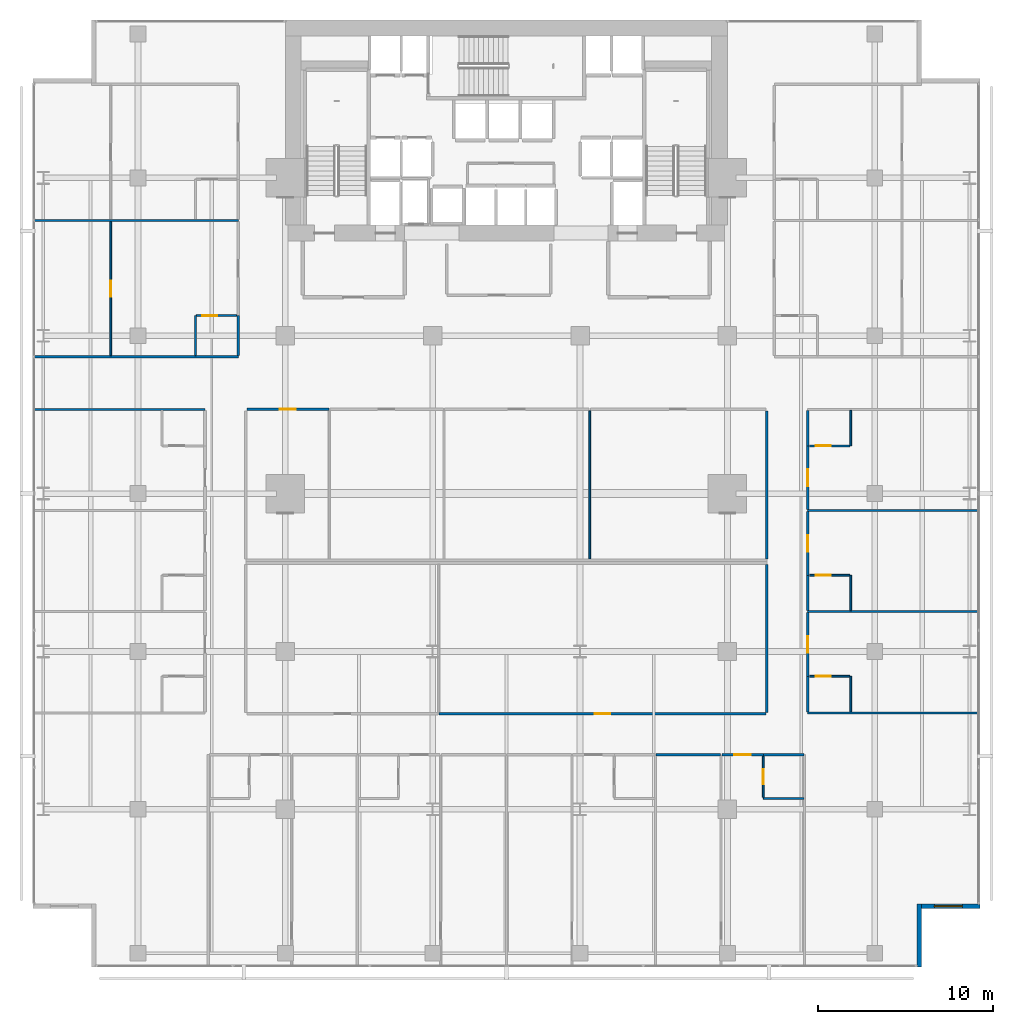
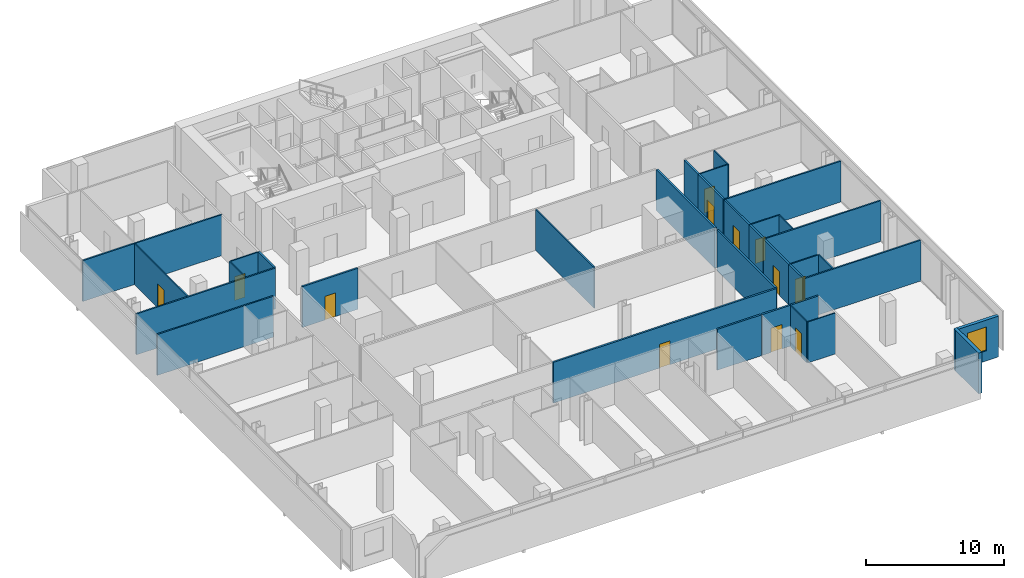
# One storey, part 34 of 40: 34 walls, 12 doors, 1 window, 13 openings.
"""IFC4 building model written with IfcOpenShell, lengths in metres."""

from ifc_helpers import new_model, si_unit, direction, frame, frame_2d, origin, place, context, subcontext, project, spatial, rectangle, extrude, material, layer, layer_set, type_object, element, fill, save


model = new_model("IFC4")

# Units and contexts
model_context = context("Model", 3, precision=1e-05, world=origin(), true_north=direction((0.0, 1.0)))
body_context = subcontext(model_context, "Body", "Model", "MODEL_VIEW")
ifc_project = project(units=[si_unit("LENGTHUNIT", "METRE"), si_unit("AREAUNIT", "SQUARE_METRE"), si_unit("VOLUMEUNIT", "CUBIC_METRE"), si_unit("PLANEANGLEUNIT", "RADIAN"), si_unit("MASSUNIT", "GRAM", prefix="KILO")], contexts=[model_context])

# Site, building, storey
site_placement = place(None, origin())
site = spatial("IfcSite", under=ifc_project, at=site_placement, CompositionType="ELEMENT")
building_placement = place(site_placement, origin())
building = spatial("IfcBuilding", under=site, at=building_placement, Name="Maruvema Waterfront Hotel and Observation Tower", CompositionType="ELEMENT")
storey_placement = place(building_placement, frame((0.0, 0.0, 88.550048828125)))
storey = spatial("IfcBuildingStorey", under=building, at=storey_placement, Name="L21", CompositionType="ELEMENT", Elevation=88.550048828125)

# Wall
ifc_material_1 = material(Name="Twin-stud acoustic gypsum drywall", Category="gypsum")
ifc_layer_1 = layer(ifc_material_1, 0.14990234375, Name="Acoustic Corridor and Suite Demising Wall 150 mm")
ifc_layer_set_1 = layer_set([ifc_layer_1], Name="Twin-stud acoustic gypsum drywall")
wall_type_1 = type_object("IfcWallType", Name="Acoustic Corridor and Suite Demising Wall 150 mm", PredefinedType="PARTITIONING", material=ifc_layer_set_1)
wall_1_placement = place(storey_placement, frame((52.64990234375, 23.280029296875, 0.0), z_axis=(0.0, 0.0, 1.0), x_axis=(0.0, 1.0, 0.0)))
element("IfcWall", 1, at=wall_1_placement, inside=storey, type_object=wall_type_1, Name="L21 L21-INTN East Wall 018", PredefinedType="PARTITIONING", context=body_context, shape_type="SweptSolid", body=[
    extrude(rectangle(XDim=8.43994140625, YDim=0.14990234375, at=frame_2d((4.219970703125, 0.0))), origin(), (0.0, 0.0, 1.0), 3.60986328125),
])

# Wall, opening, door
wall_2_placement = place(storey_placement, frame((23.010009765625, 31.800048828125, 0.0), z_axis=(0.0, 0.0, 1.0), x_axis=(1.0, 0.0, 0.0)))
wall_2 = element("IfcWall", 2, at=wall_2_placement, inside=storey, type_object=wall_type_1, Name="L21 L21-INTN Front 1 019", PredefinedType="PARTITIONING", context=body_context, shape_type="SweptSolid", body=[
    extrude(rectangle(XDim=4.662109375, YDim=0.14990234375, at=frame_2d((2.3310546875, 0.0))), origin(), (0.0, 0.0, 1.0), 3.60986328125),
])
opening_1_placement = place(wall_2_placement, frame((1.881103515625, 0.0, 0.0)))
opening_1 = element("IfcOpeningElement", 3, at=opening_1_placement, cuts=wall_2, Name="Opening DR-090", PredefinedType="OPENING", context=body_context, shape_type="SweptSolid", body=[
    extrude(rectangle(XDim=0.89990234375, YDim=2.10009765625, at=frame_2d((0.449951171875, 1.050048828125))), frame((0.0, 0.0849609375, 0.0), z_axis=(0.0, -1.0, 0.0), x_axis=(1.0, 0.0, 0.0)), (0.0, 0.0, 1.0), 0.169921875),
])
ifc_material_2 = material(Name="Solid-core lacquered timber leaf", Category="wood")
door_type_1 = type_object("IfcDoorType", Name="Accessible Toilet and Room Door 900x2100 mm", OperationType="NOTDEFINED", PredefinedType="DOOR", material=ifc_material_2)
door_1_placement = place(opening_1_placement, origin())
door_1 = element("IfcDoor", 4, at=door_1_placement, inside=storey, type_object=door_type_1, Name="L21 Art Gallery Lounge 1 Door", OperationType="SINGLE_SWING_LEFT", OverallHeight=2.10009765625, OverallWidth=0.89990234375, PredefinedType="DOOR", context=body_context, shape_type="SweptSolid", body=[
    extrude(rectangle(XDim=0.89990234375, YDim=2.10009765625, at=frame_2d((0.449951171875, 1.050048828125))), frame((0.0, 0.02490234375, 0.0), z_axis=(0.0, -1.0, 0.0), x_axis=(1.0, 0.0, 0.0)), (0.0, 0.0, 1.0), 0.050048828125),
])
fill(opening_1, door_1)

# Wall
wall_3_placement = place(storey_placement, frame((52.64990234375, 14.530029296875, 0.0), z_axis=(0.0, 0.0, 1.0), x_axis=(0.0, 1.0, 0.0)))
element("IfcWall", 5, at=wall_3_placement, inside=storey, type_object=wall_type_1, Name="L21 L21-INTS East Wall 028", PredefinedType="PARTITIONING", context=body_context, shape_type="SweptSolid", body=[
    extrude(rectangle(XDim=8.429931640625, YDim=0.14990234375, at=frame_2d((4.21484375, 0.0))), origin(), (0.0, 0.0, 1.0), 3.60986328125),
])

# Wall, opening, door
wall_4_placement = place(storey_placement, frame((33.968994140625, 14.449951171875, 0.0), z_axis=(0.0, 0.0, 1.0), x_axis=(1.0, 0.0, 0.0)))
wall_4 = element("IfcWall", 6, at=wall_4_placement, inside=storey, type_object=wall_type_1, Name="L21 L21-INTS Front 2 031", PredefinedType="PARTITIONING", context=body_context, shape_type="SweptSolid", body=[
    extrude(rectangle(XDim=18.62109375, YDim=0.14990234375, at=frame_2d((9.310546875, 0.0))), origin(), (0.0, 0.0, 1.0), 3.60986328125),
])
opening_2_placement = place(wall_4_placement, frame((8.860595703125, 0.0, 0.0)))
opening_2 = element("IfcOpeningElement", 7, at=opening_2_placement, cuts=wall_4, Name="Opening DR-090", PredefinedType="OPENING", context=body_context, shape_type="SweptSolid", body=[
    extrude(rectangle(XDim=0.89990234375, YDim=2.10009765625, at=frame_2d((0.449951171875, 1.050048828125))), frame((0.0, 0.0849609375, 0.0), z_axis=(0.0, -1.0, 0.0), x_axis=(1.0, 0.0, 0.0)), (0.0, 0.0, 1.0), 0.169921875),
])
door_2_placement = place(opening_2_placement, frame((0.89990234375, 0.0, 0.0), z_axis=(0.0, 0.0, 1.0), x_axis=(-1.0, 0.0, 0.0)))
door_2 = element("IfcDoor", 8, at=door_2_placement, inside=storey, type_object=door_type_1, Name="L21 Housekeeping Linen Room Door", OperationType="SINGLE_SWING_RIGHT", OverallHeight=2.10009765625, OverallWidth=0.89990234375, PredefinedType="DOOR", context=body_context, shape_type="SweptSolid", body=[
    extrude(rectangle(XDim=0.89990234375, YDim=2.10009765625, at=frame_2d((0.449951171875, 1.050048828125))), frame((0.0, 0.02490234375, 0.0), z_axis=(0.0, -1.0, 0.0), x_axis=(1.0, 0.0, 0.0)), (0.0, 0.0, 1.0), 0.050048828125),
])
fill(opening_2, door_2)

# Walls
wall_5_placement = place(storey_placement, frame((52.449951171875, 12.1201171875, 0.0), z_axis=(0.0, 0.0, 1.0), x_axis=(1.0, 0.0, 0.0)))
element("IfcWall", 9, at=wall_5_placement, inside=storey, type_object=wall_type_1, Name="L21 Bath L21-S4 Back Wall 055", PredefinedType="PARTITIONING", context=body_context, shape_type="SweptSolid", body=[
    extrude(rectangle(XDim=2.330078125, YDim=0.14990234375, at=frame_2d((1.1650390625, 0.0))), origin(), (0.0, 0.0, 1.0), 3.60986328125),
])
wall_6_placement = place(storey_placement, frame((46.320068359375, 12.1201171875, 0.0), z_axis=(0.0, 0.0, 1.0), x_axis=(1.0, 0.0, 0.0)))
element("IfcWall", 10, at=wall_6_placement, inside=storey, type_object=wall_type_1, Name="L21 Bedroom L21-S4 Back Wall 058", PredefinedType="PARTITIONING", context=body_context, shape_type="SweptSolid", body=[
    extrude(rectangle(XDim=3.679931640625, YDim=0.14990234375, at=frame_2d((1.83984375, 0.0))), origin(), (0.0, 0.0, 1.0), 3.60986328125),
])

# Wall, opening, door
wall_7_placement = place(storey_placement, frame((50.080078125, 12.1201171875, 0.0), z_axis=(0.0, 0.0, 1.0), x_axis=(1.0, 0.0, 0.0)))
wall_7 = element("IfcWall", 11, at=wall_7_placement, inside=storey, type_object=wall_type_1, Name="L21 Unit L21-S4 Corridor Wall 059", PredefinedType="PARTITIONING", context=body_context, shape_type="SweptSolid", body=[
    extrude(rectangle(XDim=2.369873046875, YDim=0.14990234375, at=frame_2d((1.18505859375, 0.0))), origin(), (0.0, 0.0, 1.0), 3.60986328125),
])
opening_3_placement = place(wall_7_placement, frame((0.7099609375, 0.0, 0.0)))
opening_3 = element("IfcOpeningElement", 12, at=opening_3_placement, cuts=wall_7, Name="Opening DR-095", PredefinedType="OPENING", context=body_context, shape_type="SweptSolid", body=[
    extrude(rectangle(XDim=0.949951171875, YDim=2.14990234375, at=frame_2d((0.47509765625, 1.074951171875))), frame((0.0, 0.0849609375, 0.0), z_axis=(0.0, -1.0, 0.0), x_axis=(1.0, 0.0, 0.0)), (0.0, 0.0, 1.0), 0.169921875),
])
ifc_material_3 = material(Name="Acoustic solid-core hardwood timber leaf", Category="wood")
door_type_2 = type_object("IfcDoorType", Name="Guestroom Entrance Fire Door 950x2150 mm", OperationType="NOTDEFINED", PredefinedType="DOOR", material=ifc_material_3)
door_3_placement = place(opening_3_placement, frame((0.949951171875, 0.0, 0.0), z_axis=(0.0, 0.0, 1.0), x_axis=(-1.0, 0.0, 0.0)))
door_3 = element("IfcDoor", 13, at=door_3_placement, inside=storey, type_object=door_type_2, Name="L21 Unit L21-S4 Entrance Door", OperationType="SINGLE_SWING_LEFT", OverallHeight=2.14990234375, OverallWidth=0.949951171875, PredefinedType="DOOR", context=body_context, shape_type="SweptSolid", body=[
    extrude(rectangle(XDim=0.949951171875, YDim=2.14990234375, at=frame_2d((0.47509765625, 1.074951171875))), frame((0.0, 0.02490234375, 0.0), z_axis=(0.0, -1.0, 0.0), x_axis=(1.0, 0.0, 0.0)), (0.0, 0.0, 1.0), 0.050048828125),
])
fill(opening_3, door_3)

# Wall
wall_8_placement = place(storey_placement, frame((54.97998046875, 14.56005859375, 0.0), z_axis=(0.0, 0.0, 1.0), x_axis=(0.0, 1.0, 0.0)))
element("IfcWall", 14, at=wall_8_placement, inside=storey, type_object=wall_type_1, Name="L21 Bath L21-E1 Wall 069", PredefinedType="PARTITIONING", context=body_context, shape_type="SweptSolid", body=[
    extrude(rectangle(XDim=2.02001953125, YDim=0.14990234375, at=frame_2d((1.010009765625, 0.0))), origin(), (0.0, 0.0, 1.0), 3.60986328125),
])

# Wall, opening, door
wall_9_placement = place(storey_placement, frame((54.97998046875, 16.580078125, 0.0), z_axis=(0.0, 0.0, 1.0), x_axis=(0.0, 1.0, 0.0)))
wall_9 = element("IfcWall", 15, at=wall_9_placement, inside=storey, type_object=wall_type_1, Name="L21 Room L21-E1 Corridor Wall 070", PredefinedType="PARTITIONING", context=body_context, shape_type="SweptSolid", body=[
    extrude(rectangle(XDim=3.6298828125, YDim=0.14990234375, at=frame_2d((1.81494140625, 0.0))), origin(), (0.0, 0.0, 1.0), 3.60986328125),
])
opening_4_placement = place(wall_9_placement, frame((1.340087890625, 0.0, 0.0)))
opening_4 = element("IfcOpeningElement", 16, at=opening_4_placement, cuts=wall_9, Name="Opening DR-095", PredefinedType="OPENING", context=body_context, shape_type="SweptSolid", body=[
    extrude(rectangle(XDim=0.949951171875, YDim=2.14990234375, at=frame_2d((0.47509765625, 1.074951171875))), frame((0.0, 0.0849609375, 0.0), z_axis=(0.0, -1.0, 0.0), x_axis=(1.0, 0.0, 0.0)), (0.0, 0.0, 1.0), 0.169921875),
])
door_4_placement = place(opening_4_placement, frame((0.949951171875, 0.0, 0.0), z_axis=(0.0, 0.0, 1.0), x_axis=(-1.0, 0.0, 0.0)))
door_4 = element("IfcDoor", 17, at=door_4_placement, inside=storey, type_object=door_type_2, Name="L21 Room L21-E1 Entrance Door", OperationType="SINGLE_SWING_RIGHT", OverallHeight=2.14990234375, OverallWidth=0.949951171875, PredefinedType="DOOR", context=body_context, shape_type="SweptSolid", body=[
    extrude(rectangle(XDim=0.949951171875, YDim=2.14990234375, at=frame_2d((0.47509765625, 1.074951171875))), frame((0.0, 0.02490234375, 0.0), z_axis=(0.0, -1.0, 0.0), x_axis=(1.0, 0.0, 0.0)), (0.0, 0.0, 1.0), 0.050048828125),
])
fill(opening_4, door_4)

# Wall
wall_10_placement = place(storey_placement, frame((54.97998046875, 20.330078125, 0.0), z_axis=(0.0, 0.0, 1.0), x_axis=(0.0, 1.0, 0.0)))
element("IfcWall", 18, at=wall_10_placement, inside=storey, type_object=wall_type_1, Name="L21 Bath L21-E2 Wall 079", PredefinedType="PARTITIONING", context=body_context, shape_type="SweptSolid", body=[
    extrude(rectangle(XDim=2.010009765625, YDim=0.14990234375, at=frame_2d((1.0048828125, 0.0))), origin(), (0.0, 0.0, 1.0), 3.60986328125),
])

# Wall, opening, door
wall_11_placement = place(storey_placement, frame((54.97998046875, 22.340087890625, 0.0), z_axis=(0.0, 0.0, 1.0), x_axis=(0.0, 1.0, 0.0)))
wall_11 = element("IfcWall", 19, at=wall_11_placement, inside=storey, type_object=wall_type_1, Name="L21 Room L21-E2 Corridor Wall 080", PredefinedType="PARTITIONING", context=body_context, shape_type="SweptSolid", body=[
    extrude(rectangle(XDim=3.6298828125, YDim=0.14990234375, at=frame_2d((1.81494140625, 0.0))), origin(), (0.0, 0.0, 1.0), 3.60986328125),
])
opening_5_placement = place(wall_11_placement, frame((1.340087890625, 0.0, 0.0)))
opening_5 = element("IfcOpeningElement", 20, at=opening_5_placement, cuts=wall_11, Name="Opening DR-095", PredefinedType="OPENING", context=body_context, shape_type="SweptSolid", body=[
    extrude(rectangle(XDim=0.949951171875, YDim=2.14990234375, at=frame_2d((0.47509765625, 1.074951171875))), frame((0.0, 0.0849609375, 0.0), z_axis=(0.0, -1.0, 0.0), x_axis=(1.0, 0.0, 0.0)), (0.0, 0.0, 1.0), 0.169921875),
])
door_5_placement = place(opening_5_placement, frame((0.949951171875, 0.0, 0.0), z_axis=(0.0, 0.0, 1.0), x_axis=(-1.0, 0.0, 0.0)))
door_5 = element("IfcDoor", 21, at=door_5_placement, inside=storey, type_object=door_type_2, Name="L21 Room L21-E2 Entrance Door", OperationType="SINGLE_SWING_RIGHT", OverallHeight=2.14990234375, OverallWidth=0.949951171875, PredefinedType="DOOR", context=body_context, shape_type="SweptSolid", body=[
    extrude(rectangle(XDim=0.949951171875, YDim=2.14990234375, at=frame_2d((0.47509765625, 1.074951171875))), frame((0.0, 0.02490234375, 0.0), z_axis=(0.0, -1.0, 0.0), x_axis=(1.0, 0.0, 0.0)), (0.0, 0.0, 1.0), 0.050048828125),
])
fill(opening_5, door_5)

wall_12_placement = place(storey_placement, frame((54.97998046875, 26.090087890625, 0.0), z_axis=(0.0, 0.0, 1.0), x_axis=(0.0, 1.0, 0.0)))
wall_12 = element("IfcWall", 22, at=wall_12_placement, inside=storey, type_object=wall_type_1, Name="L21 Room L21-E3 Corridor Wall 089", PredefinedType="PARTITIONING", context=body_context, shape_type="SweptSolid", body=[
    extrude(rectangle(XDim=3.6298828125, YDim=0.14990234375, at=frame_2d((1.81494140625, 0.0))), origin(), (0.0, 0.0, 1.0), 3.60986328125),
])
opening_6_placement = place(wall_12_placement, frame((1.340087890625, 0.0, 0.0)))
opening_6 = element("IfcOpeningElement", 23, at=opening_6_placement, cuts=wall_12, Name="Opening DR-095", PredefinedType="OPENING", context=body_context, shape_type="SweptSolid", body=[
    extrude(rectangle(XDim=0.949951171875, YDim=2.14990234375, at=frame_2d((0.47509765625, 1.074951171875))), frame((0.0, 0.0849609375, 0.0), z_axis=(0.0, -1.0, 0.0), x_axis=(1.0, 0.0, 0.0)), (0.0, 0.0, 1.0), 0.169921875),
])
door_6_placement = place(opening_6_placement, frame((0.949951171875, 0.0, 0.0), z_axis=(0.0, 0.0, 1.0), x_axis=(-1.0, 0.0, 0.0)))
door_6 = element("IfcDoor", 24, at=door_6_placement, inside=storey, type_object=door_type_2, Name="L21 Room L21-E3 Entrance Door", OperationType="SINGLE_SWING_RIGHT", OverallHeight=2.14990234375, OverallWidth=0.949951171875, PredefinedType="DOOR", context=body_context, shape_type="SweptSolid", body=[
    extrude(rectangle(XDim=0.949951171875, YDim=2.14990234375, at=frame_2d((0.47509765625, 1.074951171875))), frame((0.0, 0.02490234375, 0.0), z_axis=(0.0, -1.0, 0.0), x_axis=(1.0, 0.0, 0.0)), (0.0, 0.0, 1.0), 0.050048828125),
])
fill(opening_6, door_6)

# Walls
wall_13_placement = place(storey_placement, frame((54.97998046875, 29.719970703125, 0.0), z_axis=(0.0, 0.0, 1.0), x_axis=(0.0, 1.0, 0.0)))
element("IfcWall", 25, at=wall_13_placement, inside=storey, type_object=wall_type_1, Name="L21 Bath L21-E3 Wall 090", PredefinedType="PARTITIONING", context=body_context, shape_type="SweptSolid", body=[
    extrude(rectangle(XDim=2.02001953125, YDim=0.14990234375, at=frame_2d((1.010009765625, 0.0))), origin(), (0.0, 0.0, 1.0), 3.60986328125),
])
wall_14_placement = place(storey_placement, frame((22.52001953125, 34.860107421875, 0.0), z_axis=(0.0, 0.0, 1.0), x_axis=(0.0, 1.0, 0.0)))
element("IfcWall", 26, at=wall_14_placement, inside=storey, type_object=wall_type_1, Name="L21 Bath L21-NW1 Wall 097", PredefinedType="PARTITIONING", context=body_context, shape_type="SweptSolid", body=[
    extrude(rectangle(XDim=2.289794921875, YDim=0.14990234375, at=frame_2d((1.14501953125, 0.0))), origin(), (0.0, 0.0, 1.0), 3.60986328125),
])
ifc_material_4 = material(Name="Moisture-resistant cement-board drywall", Category="gypsum")
ifc_layer_2 = layer(ifc_material_4, 0.10009765625, Name="En-Suite Moisture-Resistant Partition 100 mm")
ifc_layer_set_2 = layer_set([ifc_layer_2], Name="Moisture-resistant cement-board drywall")
wall_type_2 = type_object("IfcWallType", Name="En-Suite Moisture-Resistant Partition 100 mm", PredefinedType="PARTITIONING", material=ifc_layer_set_2)
wall_15_placement = place(storey_placement, frame((42.552001953125, 23.280029296875, 0.0), z_axis=(0.0, 0.0, 1.0), x_axis=(0.0, 1.0, 0.0)))
element("IfcWall", 27, at=wall_15_placement, inside=storey, type_object=wall_type_2, Name="L21 L21-INTN Split 3 024", PredefinedType="PARTITIONING", context=body_context, shape_type="SweptSolid", body=[
    extrude(rectangle(XDim=8.43994140625, YDim=0.10009765625, at=frame_2d((4.219970703125, 0.0))), origin(), (0.0, 0.0, 1.0), 3.60986328125),
])
wall_16_placement = place(storey_placement, frame((52.449951171875, 9.6201171875, 0.0), z_axis=(0.0, 0.0, 1.0), x_axis=(1.0, 0.0, 0.0)))
element("IfcWall", 28, at=wall_16_placement, inside=storey, type_object=wall_type_2, Name="L21 En-Suite L21-S4 South 056", PredefinedType="PARTITIONING", context=body_context, shape_type="SweptSolid", body=[
    extrude(rectangle(XDim=2.31005859375, YDim=0.10009765625, at=frame_2d((1.155029296875, 0.0))), origin(), (0.0, 0.0, 1.0), 3.60986328125),
])

# Wall, opening, door
wall_17_placement = place(storey_placement, frame((52.449951171875, 9.679931640625, 0.0), z_axis=(0.0, 0.0, 1.0), x_axis=(0.0, 1.0, 0.0)))
wall_17 = element("IfcWall", 29, at=wall_17_placement, inside=storey, type_object=wall_type_2, Name="L21 En-Suite L21-S4 West 057", PredefinedType="PARTITIONING", context=body_context, shape_type="SweptSolid", body=[
    extrude(rectangle(XDim=2.340087890625, YDim=0.10009765625, at=frame_2d((1.169921875, 0.0))), origin(), (0.0, 0.0, 1.0), 3.60986328125),
])
opening_7_placement = place(wall_17_placement, frame((0.7451171875, 0.0, 0.0)))
opening_7 = element("IfcOpeningElement", 30, at=opening_7_placement, cuts=wall_17, Name="Opening DR-085", PredefinedType="OPENING", context=body_context, shape_type="SweptSolid", body=[
    extrude(rectangle(XDim=0.85009765625, YDim=2.10009765625, at=frame_2d((0.425048828125, 1.050048828125))), frame((0.0, 0.06005859375, 0.0), z_axis=(0.0, -1.0, 0.0), x_axis=(1.0, 0.0, 0.0)), (0.0, 0.0, 1.0), 0.1201171875),
])
ifc_material_5 = material(Name="Moisture-resistant solid timber leaf", Category="wood")
door_type_3 = type_object("IfcDoorType", Name="En-Suite Bathroom Door 850x2100 mm", OperationType="NOTDEFINED", PredefinedType="DOOR", material=ifc_material_5)
door_7_placement = place(opening_7_placement, origin())
door_7 = element("IfcDoor", 31, at=door_7_placement, inside=storey, type_object=door_type_3, Name="L21 En-Suite L21-S4 Door", OperationType="SINGLE_SWING_RIGHT", OverallHeight=2.10009765625, OverallWidth=0.85009765625, PredefinedType="DOOR", context=body_context, shape_type="SweptSolid", body=[
    extrude(rectangle(XDim=0.85009765625, YDim=2.10009765625, at=frame_2d((0.425048828125, 1.050048828125))), frame((0.0, 0.02490234375, 0.0), z_axis=(0.0, -1.0, 0.0), x_axis=(1.0, 0.0, 0.0)), (0.0, 0.0, 1.0), 0.050048828125),
])
fill(opening_7, door_7)

# Wall
wall_18_placement = place(storey_placement, frame((57.429931640625, 14.56005859375, 0.0), z_axis=(0.0, 0.0, 1.0), x_axis=(0.0, 1.0, 0.0)))
element("IfcWall", 32, at=wall_18_placement, inside=storey, type_object=wall_type_2, Name="L21 En-Suite L21-E1 E 071", PredefinedType="PARTITIONING", context=body_context, shape_type="SweptSolid", body=[
    extrude(rectangle(XDim=2.02001953125, YDim=0.10009765625, at=frame_2d((1.010009765625, 0.0))), origin(), (0.0, 0.0, 1.0), 3.60986328125),
])

# Wall, opening, door
wall_19_placement = place(storey_placement, frame((55.080078125, 16.580078125, 0.0), z_axis=(0.0, 0.0, 1.0), x_axis=(1.0, 0.0, 0.0)))
wall_19 = element("IfcWall", 33, at=wall_19_placement, inside=storey, type_object=wall_type_2, Name="L21 En-Suite L21-E1 N 072", PredefinedType="PARTITIONING", context=body_context, shape_type="SweptSolid", body=[
    extrude(rectangle(XDim=2.2998046875, YDim=0.10009765625, at=frame_2d((1.14990234375, 0.0))), origin(), (0.0, 0.0, 1.0), 3.60986328125),
])
opening_8_placement = place(wall_19_placement, frame((0.35009765625, 0.0, 0.0)))
opening_8 = element("IfcOpeningElement", 34, at=opening_8_placement, cuts=wall_19, Name="Opening DR-085", PredefinedType="OPENING", context=body_context, shape_type="SweptSolid", body=[
    extrude(rectangle(XDim=0.85009765625, YDim=2.10009765625, at=frame_2d((0.425048828125, 1.050048828125))), frame((0.0, 0.06005859375, 0.0), z_axis=(0.0, -1.0, 0.0), x_axis=(1.0, 0.0, 0.0)), (0.0, 0.0, 1.0), 0.1201171875),
])
door_8_placement = place(opening_8_placement, origin())
door_8 = element("IfcDoor", 35, at=door_8_placement, inside=storey, type_object=door_type_3, Name="L21 En-Suite L21-E1 Door", OperationType="SINGLE_SWING_LEFT", OverallHeight=2.10009765625, OverallWidth=0.85009765625, PredefinedType="DOOR", context=body_context, shape_type="SweptSolid", body=[
    extrude(rectangle(XDim=0.85009765625, YDim=2.10009765625, at=frame_2d((0.425048828125, 1.050048828125))), frame((0.0, 0.02490234375, 0.0), z_axis=(0.0, -1.0, 0.0), x_axis=(1.0, 0.0, 0.0)), (0.0, 0.0, 1.0), 0.050048828125),
])
fill(opening_8, door_8)

# Wall
wall_20_placement = place(storey_placement, frame((57.429931640625, 20.330078125, 0.0), z_axis=(0.0, 0.0, 1.0), x_axis=(0.0, 1.0, 0.0)))
element("IfcWall", 36, at=wall_20_placement, inside=storey, type_object=wall_type_2, Name="L21 En-Suite L21-E2 E 081", PredefinedType="PARTITIONING", context=body_context, shape_type="SweptSolid", body=[
    extrude(rectangle(XDim=2.010009765625, YDim=0.10009765625, at=frame_2d((1.0048828125, 0.0))), origin(), (0.0, 0.0, 1.0), 3.60986328125),
])

# Wall, opening, door
wall_21_placement = place(storey_placement, frame((55.080078125, 22.340087890625, 0.0), z_axis=(0.0, 0.0, 1.0), x_axis=(1.0, 0.0, 0.0)))
wall_21 = element("IfcWall", 37, at=wall_21_placement, inside=storey, type_object=wall_type_2, Name="L21 En-Suite L21-E2 N 082", PredefinedType="PARTITIONING", context=body_context, shape_type="SweptSolid", body=[
    extrude(rectangle(XDim=2.2998046875, YDim=0.10009765625, at=frame_2d((1.14990234375, 0.0))), origin(), (0.0, 0.0, 1.0), 3.60986328125),
])
opening_9_placement = place(wall_21_placement, frame((0.35009765625, 0.0, 0.0)))
opening_9 = element("IfcOpeningElement", 38, at=opening_9_placement, cuts=wall_21, Name="Opening DR-085", PredefinedType="OPENING", context=body_context, shape_type="SweptSolid", body=[
    extrude(rectangle(XDim=0.85009765625, YDim=2.10009765625, at=frame_2d((0.425048828125, 1.050048828125))), frame((0.0, 0.06005859375, 0.0), z_axis=(0.0, -1.0, 0.0), x_axis=(1.0, 0.0, 0.0)), (0.0, 0.0, 1.0), 0.1201171875),
])
door_9_placement = place(opening_9_placement, origin())
door_9 = element("IfcDoor", 39, at=door_9_placement, inside=storey, type_object=door_type_3, Name="L21 En-Suite L21-E2 Door", OperationType="SINGLE_SWING_LEFT", OverallHeight=2.10009765625, OverallWidth=0.85009765625, PredefinedType="DOOR", context=body_context, shape_type="SweptSolid", body=[
    extrude(rectangle(XDim=0.85009765625, YDim=2.10009765625, at=frame_2d((0.425048828125, 1.050048828125))), frame((0.0, 0.02490234375, 0.0), z_axis=(0.0, -1.0, 0.0), x_axis=(1.0, 0.0, 0.0)), (0.0, 0.0, 1.0), 0.050048828125),
])
fill(opening_9, door_9)

# Wall
wall_22_placement = place(storey_placement, frame((57.429931640625, 29.719970703125, 0.0), z_axis=(0.0, 0.0, 1.0), x_axis=(0.0, 1.0, 0.0)))
element("IfcWall", 40, at=wall_22_placement, inside=storey, type_object=wall_type_2, Name="L21 En-Suite L21-E3 E 091", PredefinedType="PARTITIONING", context=body_context, shape_type="SweptSolid", body=[
    extrude(rectangle(XDim=2.02001953125, YDim=0.10009765625, at=frame_2d((1.010009765625, 0.0))), origin(), (0.0, 0.0, 1.0), 3.60986328125),
])

# Wall, opening, door
wall_23_placement = place(storey_placement, frame((55.080078125, 29.719970703125, 0.0), z_axis=(0.0, 0.0, 1.0), x_axis=(1.0, 0.0, 0.0)))
wall_23 = element("IfcWall", 41, at=wall_23_placement, inside=storey, type_object=wall_type_2, Name="L21 En-Suite L21-E3 S 092", PredefinedType="PARTITIONING", context=body_context, shape_type="SweptSolid", body=[
    extrude(rectangle(XDim=2.2998046875, YDim=0.10009765625, at=frame_2d((1.14990234375, 0.0))), origin(), (0.0, 0.0, 1.0), 3.60986328125),
])
opening_10_placement = place(wall_23_placement, frame((0.35009765625, 0.0, 0.0)))
opening_10 = element("IfcOpeningElement", 42, at=opening_10_placement, cuts=wall_23, Name="Opening DR-085", PredefinedType="OPENING", context=body_context, shape_type="SweptSolid", body=[
    extrude(rectangle(XDim=0.85009765625, YDim=2.10009765625, at=frame_2d((0.425048828125, 1.050048828125))), frame((0.0, 0.06005859375, 0.0), z_axis=(0.0, -1.0, 0.0), x_axis=(1.0, 0.0, 0.0)), (0.0, 0.0, 1.0), 0.1201171875),
])
door_10_placement = place(opening_10_placement, frame((0.85009765625, 0.0, 0.0), z_axis=(0.0, 0.0, 1.0), x_axis=(-1.0, 0.0, 0.0)))
door_10 = element("IfcDoor", 43, at=door_10_placement, inside=storey, type_object=door_type_3, Name="L21 En-Suite L21-E3 Door", OperationType="SINGLE_SWING_LEFT", OverallHeight=2.10009765625, OverallWidth=0.85009765625, PredefinedType="DOOR", context=body_context, shape_type="SweptSolid", body=[
    extrude(rectangle(XDim=0.85009765625, YDim=2.10009765625, at=frame_2d((0.425048828125, 1.050048828125))), frame((0.0, 0.02490234375, 0.0), z_axis=(0.0, -1.0, 0.0), x_axis=(1.0, 0.0, 0.0)), (0.0, 0.0, 1.0), 0.050048828125),
])
fill(opening_10, door_10)

# Wall
wall_24_placement = place(storey_placement, frame((20.070068359375, 34.860107421875, 0.0), z_axis=(0.0, 0.0, 1.0), x_axis=(0.0, 1.0, 0.0)))
element("IfcWall", 44, at=wall_24_placement, inside=storey, type_object=wall_type_2, Name="L21 En-Suite L21-NW1 W 099", PredefinedType="PARTITIONING", context=body_context, shape_type="SweptSolid", body=[
    extrude(rectangle(XDim=2.289794921875, YDim=0.10009765625, at=frame_2d((1.14501953125, 0.0))), origin(), (0.0, 0.0, 1.0), 3.60986328125),
])

# Wall, opening, door
wall_25_placement = place(storey_placement, frame((20.1201171875, 37.14990234375, 0.0), z_axis=(0.0, 0.0, 1.0), x_axis=(1.0, 0.0, 0.0)))
wall_25 = element("IfcWall", 45, at=wall_25_placement, inside=storey, type_object=wall_type_2, Name="L21 En-Suite L21-NW1 N 100", PredefinedType="PARTITIONING", context=body_context, shape_type="SweptSolid", body=[
    extrude(rectangle(XDim=2.2998046875, YDim=0.10009765625, at=frame_2d((1.14990234375, 0.0))), origin(), (0.0, 0.0, 1.0), 3.60986328125),
])
opening_11_placement = place(wall_25_placement, frame((0.35009765625, 0.0, 0.0)))
opening_11 = element("IfcOpeningElement", 46, at=opening_11_placement, cuts=wall_25, Name="Opening DR-085", PredefinedType="OPENING", context=body_context, shape_type="SweptSolid", body=[
    extrude(rectangle(XDim=0.85009765625, YDim=2.10009765625, at=frame_2d((0.425048828125, 1.050048828125))), frame((0.0, 0.06005859375, 0.0), z_axis=(0.0, -1.0, 0.0), x_axis=(1.0, 0.0, 0.0)), (0.0, 0.0, 1.0), 0.1201171875),
])
door_11_placement = place(opening_11_placement, origin())
door_11 = element("IfcDoor", 47, at=door_11_placement, inside=storey, type_object=door_type_3, Name="L21 En-Suite L21-NW1 Door", OperationType="SINGLE_SWING_LEFT", OverallHeight=2.10009765625, OverallWidth=0.85009765625, PredefinedType="DOOR", context=body_context, shape_type="SweptSolid", body=[
    extrude(rectangle(XDim=0.85009765625, YDim=2.10009765625, at=frame_2d((0.425048828125, 1.050048828125))), frame((0.0, 0.02490234375, 0.0), z_axis=(0.0, -1.0, 0.0), x_axis=(1.0, 0.0, 0.0)), (0.0, 0.0, 1.0), 0.050048828125),
])
fill(opening_11, door_11)

wall_26_placement = place(storey_placement, frame((15.24951171875, 34.860107421875, 0.0), z_axis=(0.0, 0.0, 1.0), x_axis=(0.0, 1.0, 0.0)))
wall_26 = element("IfcWall", 48, at=wall_26_placement, inside=storey, type_object=wall_type_2, Name="L21 Suite L21-NW1 Split 101", PredefinedType="PARTITIONING", context=body_context, shape_type="SweptSolid", body=[
    extrude(rectangle(XDim=7.648681640625, YDim=0.10009765625, at=frame_2d((3.82421875, 0.0))), origin(), (0.0, 0.0, 1.0), 3.60986328125),
])
opening_12_placement = place(wall_26_placement, frame((3.374267578125, 0.0, 0.0)))
opening_12 = element("IfcOpeningElement", 49, at=opening_12_placement, cuts=wall_26, Name="Opening DR-090", PredefinedType="OPENING", context=body_context, shape_type="SweptSolid", body=[
    extrude(rectangle(XDim=0.89990234375, YDim=2.10009765625, at=frame_2d((0.449951171875, 1.050048828125))), frame((0.0, 0.06005859375, 0.0), z_axis=(0.0, -1.0, 0.0), x_axis=(1.0, 0.0, 0.0)), (0.0, 0.0, 1.0), 0.1201171875),
])
door_12_placement = place(opening_12_placement, origin())
door_12 = element("IfcDoor", 50, at=door_12_placement, inside=storey, type_object=door_type_1, Name="L21 Suite L21-NW1 Bedroom Door", OperationType="SINGLE_SWING_LEFT", OverallHeight=2.10009765625, OverallWidth=0.89990234375, PredefinedType="DOOR", context=body_context, shape_type="SweptSolid", body=[
    extrude(rectangle(XDim=0.89990234375, YDim=2.10009765625, at=frame_2d((0.449951171875, 1.050048828125))), frame((0.0, 0.02490234375, 0.0), z_axis=(0.0, -1.0, 0.0), x_axis=(1.0, 0.0, 0.0)), (0.0, 0.0, 1.0), 0.050048828125),
])
fill(opening_12, door_12)

# Wall
ifc_material_6 = material(Name="Precast concrete C45/55 with honed Pernambuco granite facing", Category="masonry")
ifc_layer_3 = layer(ifc_material_6, 0.260009765625, Name="Exterior Granite Clad Spandrel and Pier Wall 260 mm")
ifc_layer_set_3 = layer_set([ifc_layer_3], Name="Precast concrete C45/55 with honed Pernambuco granite facing")
wall_type_3 = type_object("IfcWallType", Name="Exterior Granite Clad Spandrel and Pier Wall 260 mm", PredefinedType="SOLIDWALL", material=ifc_layer_set_3)
wall_27_placement = place(storey_placement, frame((61.330078125, 3.60009765625, 0.0), z_axis=(0.0, 0.0, 1.0), x_axis=(0.0, -1.0, 0.0)))
element("IfcWall", 51, at=wall_27_placement, inside=storey, type_object=wall_type_3, Name="L21 Corner Notch Granite Pier Wall SE1", PredefinedType="SOLIDWALL", context=body_context, shape_type="SweptSolid", body=[
    extrude(rectangle(XDim=3.60009765625, YDim=0.260009765625, at=frame_2d((1.800048828125, 0.0))), origin(), (0.0, 0.0, 1.0), 3.60986328125),
])

# Wall, opening, window
wall_28_placement = place(storey_placement, frame((64.800048828125, 3.469970703125, 0.0), z_axis=(0.0, 0.0, 1.0), x_axis=(-1.0, 0.0, 0.0)))
wall_28 = element("IfcWall", 52, at=wall_28_placement, inside=storey, type_object=wall_type_3, Name="L21 Corner Notch Granite Pier Wall SE2", PredefinedType="SOLIDWALL", context=body_context, shape_type="SweptSolid", body=[
    extrude(rectangle(XDim=3.60009765625, YDim=0.260009765625, at=frame_2d((1.800048828125, 0.0))), origin(), (0.0, 0.0, 1.0), 3.60986328125),
])
opening_13_placement = place(wall_28_placement, frame((1.0, 0.0, 0.89990234375)))
opening_13 = element("IfcOpeningElement", 53, at=opening_13_placement, cuts=wall_28, Name="Opening WN-01", PredefinedType="OPENING", context=body_context, shape_type="SweptSolid", body=[
    extrude(rectangle(XDim=1.60009765625, YDim=2.10009765625, at=frame_2d((0.800048828125, 1.050048828125))), frame((0.0, 0.14013671875, 0.0), z_axis=(0.0, -1.0, 0.0), x_axis=(1.0, 0.0, 0.0)), (0.0, 0.0, 1.0), 0.280029296875),
])
ifc_material_7 = material(Name="Anodised bronze aluminium frame with laminated low-E glass", Category="aluminium")
window_type = type_object("IfcWindowType", Name="Corner Notch Feature Window 1600x2100 mm", PartitioningType="SINGLE_PANEL", PredefinedType="WINDOW", material=ifc_material_7)
window_placement = place(opening_13_placement, origin())
window = element("IfcWindow", 54, at=window_placement, inside=storey, type_object=window_type, Name="L21 Corner Notch Punched Window SE2", OverallHeight=2.10009765625, OverallWidth=1.60009765625, PartitioningType="SINGLE_PANEL", PredefinedType="WINDOW", context=body_context, shape_type="SweptSolid", body=[
    extrude(rectangle(XDim=1.60009765625, YDim=2.10009765625, at=frame_2d((0.800048828125, 1.050048828125))), frame((0.0, 0.030029296875, 0.0), z_axis=(0.0, -1.0, 0.0), x_axis=(1.0, 0.0, 0.0)), (0.0, 0.0, 1.0), 0.06005859375),
])
fill(opening_13, window)

# Walls
ifc_material_8 = material(Name="Acoustic gypsum plasterboard drywall", Category="gypsum")
ifc_layer_4 = layer(ifc_material_8, 0.125, Name="Guestroom Acoustic Demising Wall 125 mm")
ifc_layer_set_4 = layer_set([ifc_layer_4], Name="Acoustic gypsum plasterboard drywall")
wall_type_4 = type_object("IfcWallType", Name="Guestroom Acoustic Demising Wall 125 mm", PredefinedType="PARTITIONING", material=ifc_layer_set_4)
wall_29_placement = place(storey_placement, frame((54.97998046875, 14.5, 0.0), z_axis=(0.0, 0.0, 1.0), x_axis=(1.0, 0.0, 0.0)))
element("IfcWall", 55, at=wall_29_placement, inside=storey, type_object=wall_type_4, Name="L21 E Bot End 062", PredefinedType="PARTITIONING", context=body_context, shape_type="SweptSolid", body=[
    extrude(rectangle(XDim=9.719970703125, YDim=0.125, at=frame_2d((4.85986328125, 0.0))), origin(), (0.0, 0.0, 1.0), 3.60986328125),
])
wall_30_placement = place(storey_placement, frame((10.89990234375, 31.800048828125, 0.0), z_axis=(0.0, 0.0, 1.0), x_axis=(1.0, 0.0, 0.0)))
element("IfcWall", 56, at=wall_30_placement, inside=storey, type_object=wall_type_4, Name="L21 W Top End 063", PredefinedType="PARTITIONING", context=body_context, shape_type="SweptSolid", body=[
    extrude(rectangle(XDim=9.72021484375, YDim=0.125, at=frame_2d((4.860107421875, 0.0))), origin(), (0.0, 0.0, 1.0), 3.60986328125),
])
for number, where, z_axis, x_axis, name in (
    (57, (54.97998046875, 20.27001953125, 0.0), (0.0, 0.0, 1.0), (1.0, 0.0, 0.0), "L21 E Demising 2 074"),
    (58, (54.97998046875, 26.030029296875, 0.0), (0.0, 0.0, 1.0), (1.0, 0.0, 0.0), "L21 E Demising 3 084"),
):
    element("IfcWall", number, at=place(storey_placement, frame(where, z_axis=z_axis, x_axis=x_axis)), inside=storey, type_object=wall_type_4, Name=name, PredefinedType="PARTITIONING", context=body_context, shape_type="SweptSolid", body=[
        extrude(rectangle(XDim=9.719970703125, YDim=0.125, at=frame_2d((4.85986328125, 0.0))), origin(), (0.0, 0.0, 1.0), 3.60986328125),
    ])
for number, where, z_axis, x_axis, name in (
    (59, (10.89990234375, 34.800048828125, 0.0), (0.0, 0.0, 1.0), (1.0, 0.0, 0.0), "L21 NW Bot End 093"),
    (60, (10.89990234375, 42.568603515625, 0.0), (0.0, 0.0, 1.0), (1.0, 0.0, 0.0), "L21 NW Demising 2 107"),
):
    element("IfcWall", number, at=place(storey_placement, frame(where, z_axis=z_axis, x_axis=x_axis)), inside=storey, type_object=wall_type_4, Name=name, PredefinedType="PARTITIONING", context=body_context, shape_type="SweptSolid", body=[
        extrude(rectangle(XDim=11.6201171875, YDim=0.125, at=frame_2d((5.81005859375, 0.0))), origin(), (0.0, 0.0, 1.0), 3.60986328125),
    ])

save(model, "model.ifc")
